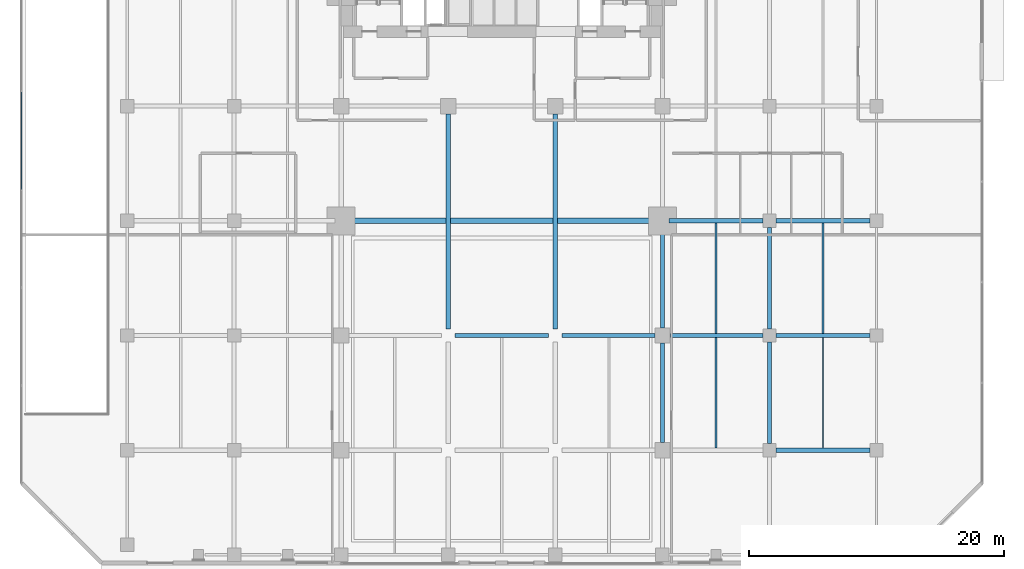
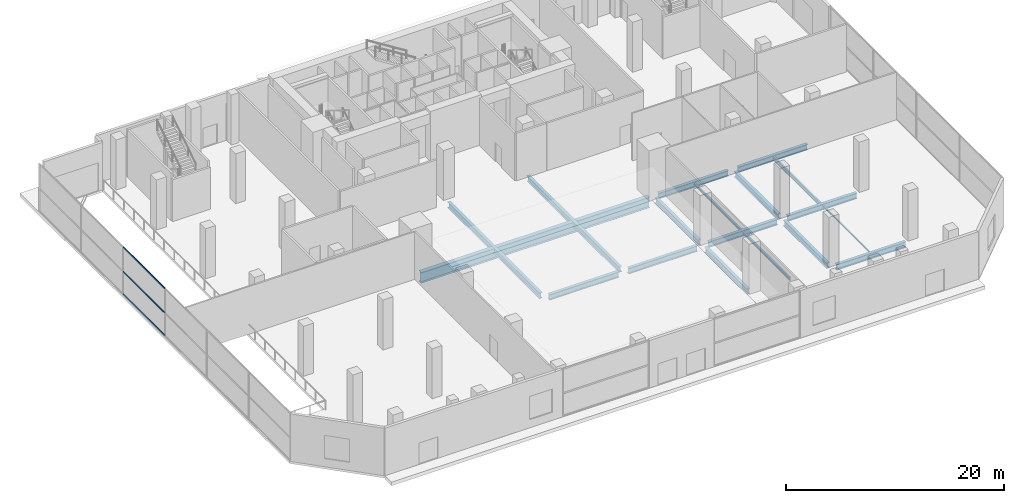
# One storey, part 16 of 35: 18 beams, 3 members, 1 element without a shape of its own.
"""IFC4 building model written with IfcOpenShell, lengths in metres."""

from ifc_helpers import new_model, si_unit, direction, frame, origin, origin_2d, place, context, subcontext, project, spatial, hollow_rectangle, i_section, extrude, material, layer, layer_set, material_profile, profile_set, type_object, element, aggregate, save


model = new_model("IFC4")

# Units and contexts
model_context = context("Model", 3, precision=1e-05, world=origin(), true_north=direction((0.0, 1.0)))
body_context = subcontext(model_context, "Body", "Model", "MODEL_VIEW")
ifc_project = project(units=[si_unit("LENGTHUNIT", "METRE"), si_unit("AREAUNIT", "SQUARE_METRE"), si_unit("VOLUMEUNIT", "CUBIC_METRE"), si_unit("PLANEANGLEUNIT", "RADIAN"), si_unit("MASSUNIT", "GRAM", prefix="KILO")], contexts=[model_context])

# Site, building, storey
site_placement = place(None, origin())
site = spatial("IfcSite", under=ifc_project, at=site_placement, CompositionType="ELEMENT")
building_placement = place(site_placement, origin())
building = spatial("IfcBuilding", under=site, at=building_placement, Name="Maruvema Waterfront Hotel and Observation Tower", CompositionType="ELEMENT")
storey_placement = place(building_placement, origin())
storey = spatial("IfcBuildingStorey", under=building, at=storey_placement, Name="L00", CompositionType="ELEMENT", Elevation=0.0)

# Curtain wall, members
ifc_material_1 = material(Name="Anodised bronze aluminium and solar-control low-E IGU", Category="aluminium")
ifc_layer = layer(ifc_material_1, 0.159912109375, Name="Podium Waterfront Storefront Curtain Wall System CW-01")
ifc_layer_set = layer_set([ifc_layer], Name="Anodised bronze aluminium and solar-control low-E IGU")
curtain_wall_type = type_object("IfcCurtainWallType", Name="Podium Waterfront Storefront Curtain Wall System CW-01", PredefinedType="USERDEFINED", material=ifc_layer_set)
curtain_wall_placement = place(storey_placement, origin())
curtain_wall = element("IfcCurtainWall", 1, at=curtain_wall_placement, inside=storey, type_object=curtain_wall_type, Name="L00 Curtain Wall CW-L00-W", ObjectType="UNITISED CURTAIN WALL", PredefinedType="USERDEFINED")
ifc_material_2 = material(Name="Anodised architectural bronze aluminium", Category="aluminium")
ifc_material_profile_1 = material_profile(ifc_material_2, hollow_rectangle(XDim=0.070068359375, YDim=0.14990234375, WallThickness=0.00390625, at=origin_2d()), Name="ALU-T70x150")
ifc_profile_set_1 = profile_set([ifc_material_profile_1], Name="Anodised architectural bronze aluminium")
member_type = type_object("IfcMemberType", Name="Curtain Wall Horizontal Transom ALU-T70x150", PredefinedType="USERDEFINED", material=ifc_profile_set_1)
member_1_placement = place(storey_placement, frame((0.1201171875, 37.103271484375, 0.030029296875), z_axis=(0.0, -1.0, 0.0), x_axis=(1.0, 0.0, 0.0)))
member_1 = element("IfcMember", 2, at=member_1_placement, type_object=member_type, Name="CW-01 transom 3.1", ObjectType="TRANSOM", PredefinedType="USERDEFINED", context=body_context, shape_type="SweptSolid", body=[
    extrude(hollow_rectangle(XDim=0.070068359375, YDim=0.14990234375, WallThickness=0.00390625, at=origin_2d()), origin(), (0.0, 0.0, 1.0), 7.623291015625),
])
member_2_placement = place(storey_placement, frame((0.1201171875, 37.103271484375, 2.550048828125), z_axis=(0.0, -1.0, 0.0), x_axis=(1.0, 0.0, 0.0)))
member_2 = element("IfcMember", 3, at=member_2_placement, type_object=member_type, Name="CW-01 transom 3.2", ObjectType="TRANSOM", PredefinedType="USERDEFINED", context=body_context, shape_type="SweptSolid", body=[
    extrude(hollow_rectangle(XDim=0.070068359375, YDim=0.14990234375, WallThickness=0.00390625, at=origin_2d()), origin(), (0.0, 0.0, 1.0), 7.623291015625),
])
member_3_placement = place(storey_placement, frame((0.1201171875, 37.103271484375, 5.2900390625), z_axis=(0.0, -1.0, 0.0), x_axis=(1.0, 0.0, 0.0)))
member_3 = element("IfcMember", 4, at=member_3_placement, type_object=member_type, Name="CW-01 transom 3.3", ObjectType="TRANSOM", PredefinedType="USERDEFINED", context=body_context, shape_type="SweptSolid", body=[
    extrude(hollow_rectangle(XDim=0.070068359375, YDim=0.14990234375, WallThickness=0.00390625, at=origin_2d()), origin(), (0.0, 0.0, 1.0), 7.623291015625),
])
aggregate(curtain_wall, [member_1, member_2, member_3])

# Beams
ifc_material_3 = material(Name="Steel ASTM A572 Grade 50", Category="steel")
ifc_material_profile_2 = material_profile(ifc_material_3, i_section(OverallWidth=0.3291015625, OverallDepth=0.635009765625, WebThickness=0.017822265625, FlangeThickness=0.031005859375, FilletRadius=0.01806640625, at=origin_2d()), Name="W610x241.0")
ifc_profile_set_2 = profile_set([ifc_material_profile_2], Name="Steel ASTM A572 Grade 50")
beam_type_1 = type_object("IfcBeamType", Name="Primary Floor Girder W610x241.0", PredefinedType="BEAM", material=ifc_profile_set_2)
for number, where, z_axis, x_axis, name in (
    (5, (59.324951171875, 9.0, -0.597412109375), (1.0, 0.0, 0.0), (0.0, 1.0, 0.0), "L00 Floor Girder EW-16"),
    (6, (34.125, 18.0, -0.597412109375), (1.0, 0.0, 0.0), (0.0, 1.0, 0.0), "L00 Floor Girder EW-20"),
):
    element("IfcBeam", number, at=place(storey_placement, frame(where, z_axis=z_axis, x_axis=x_axis)), inside=storey, type_object=beam_type_1, Name=name, PredefinedType="BEAM", context=body_context, shape_type="SweptSolid", body=[
        extrude(i_section(OverallWidth=0.3291015625, OverallDepth=0.635009765625, WebThickness=0.017822265625, FlangeThickness=0.031005859375, FilletRadius=0.01806640625, at=origin_2d()), origin(), (0.0, 0.0, 1.0), 7.35009765625),
    ])
beam_1_placement = place(storey_placement, frame((42.52490234375, 18.0, -0.597412109375), z_axis=(1.0, 0.0, 0.0), x_axis=(0.0, 1.0, 0.0)))
element("IfcBeam", 7, at=beam_1_placement, inside=storey, type_object=beam_type_1, Name="L00 Floor Girder EW-21", PredefinedType="BEAM", context=body_context, shape_type="SweptSolid", body=[
    extrude(i_section(OverallWidth=0.3291015625, OverallDepth=0.635009765625, WebThickness=0.017822265625, FlangeThickness=0.031005859375, FilletRadius=0.01806640625, at=origin_2d()), origin(), (0.0, 0.0, 1.0), 7.275146484375),
])
beam_2_placement = place(storey_placement, frame((51.0, 18.0, -0.597412109375), z_axis=(1.0, 0.0, 0.0), x_axis=(0.0, 1.0, 0.0)))
element("IfcBeam", 8, at=beam_2_placement, inside=storey, type_object=beam_type_1, Name="L00 Floor Girder EW-22", PredefinedType="BEAM", context=body_context, shape_type="SweptSolid", body=[
    extrude(i_section(OverallWidth=0.3291015625, OverallDepth=0.635009765625, WebThickness=0.017822265625, FlangeThickness=0.031005859375, FilletRadius=0.01806640625, at=origin_2d()), origin(), (0.0, 0.0, 1.0), 7.27490234375),
])
beam_3_placement = place(storey_placement, frame((59.324951171875, 18.0, -0.597412109375), z_axis=(1.0, 0.0, 0.0), x_axis=(0.0, 1.0, 0.0)))
element("IfcBeam", 9, at=beam_3_placement, inside=storey, type_object=beam_type_1, Name="L00 Floor Girder EW-23", PredefinedType="BEAM", context=body_context, shape_type="SweptSolid", body=[
    extrude(i_section(OverallWidth=0.3291015625, OverallDepth=0.635009765625, WebThickness=0.017822265625, FlangeThickness=0.031005859375, FilletRadius=0.01806640625, at=origin_2d()), origin(), (0.0, 0.0, 1.0), 7.35009765625),
])
beam_4_placement = place(storey_placement, frame((50.89990234375, 27.0, -0.597412109375), z_axis=(1.0, 0.0, 0.0), x_axis=(0.0, 1.0, 0.0)))
element("IfcBeam", 10, at=beam_4_placement, inside=storey, type_object=beam_type_1, Name="L00 Floor Girder EW-27", PredefinedType="BEAM", context=body_context, shape_type="SweptSolid", body=[
    extrude(i_section(OverallWidth=0.3291015625, OverallDepth=0.635009765625, WebThickness=0.017822265625, FlangeThickness=0.031005859375, FilletRadius=0.01806640625, at=origin_2d()), origin(), (0.0, 0.0, 1.0), 7.375),
])
beam_5_placement = place(storey_placement, frame((59.324951171875, 27.0, -0.597412109375), z_axis=(1.0, 0.0, 0.0), x_axis=(0.0, 1.0, 0.0)))
element("IfcBeam", 11, at=beam_5_placement, inside=storey, type_object=beam_type_1, Name="L00 Floor Girder EW-28", PredefinedType="BEAM", context=body_context, shape_type="SweptSolid", body=[
    extrude(i_section(OverallWidth=0.3291015625, OverallDepth=0.635009765625, WebThickness=0.017822265625, FlangeThickness=0.031005859375, FilletRadius=0.01806640625, at=origin_2d()), origin(), (0.0, 0.0, 1.0), 7.35009765625),
])
for number, where, z_axis, x_axis, name in (
    (12, (33.60009765625, 18.52490234375, -0.597412109375), (0.0, 1.0, 0.0), (-1.0, 0.0, 0.0), "L00 Floor Girder NS-20"),
    (13, (42.0, 18.52490234375, -0.597412109375), (0.0, 1.0, 0.0), (-1.0, 0.0, 0.0), "L00 Floor Girder NS-23"),
):
    element("IfcBeam", number, at=place(storey_placement, frame(where, z_axis=z_axis, x_axis=x_axis)), inside=storey, type_object=beam_type_1, Name=name, PredefinedType="BEAM", context=body_context, shape_type="SweptSolid", body=[
        extrude(i_section(OverallWidth=0.3291015625, OverallDepth=0.635009765625, WebThickness=0.017822265625, FlangeThickness=0.031005859375, FilletRadius=0.01806640625, at=origin_2d()), origin(), (0.0, 0.0, 1.0), 16.875),
    ])
beam_6_placement = place(storey_placement, frame((50.39990234375, 9.60009765625, -0.597412109375), z_axis=(0.0, 1.0, 0.0), x_axis=(-1.0, 0.0, 0.0)))
element("IfcBeam", 14, at=beam_6_placement, inside=storey, type_object=beam_type_1, Name="L00 Floor Girder NS-25", PredefinedType="BEAM", context=body_context, shape_type="SweptSolid", body=[
    extrude(i_section(OverallWidth=0.3291015625, OverallDepth=0.635009765625, WebThickness=0.017822265625, FlangeThickness=0.031005859375, FilletRadius=0.01806640625, at=origin_2d()), origin(), (0.0, 0.0, 1.0), 7.7998046875),
])
beam_7_placement = place(storey_placement, frame((50.39990234375, 18.60009765625, -0.597412109375), z_axis=(0.0, 1.0, 0.0), x_axis=(-1.0, 0.0, 0.0)))
element("IfcBeam", 15, at=beam_7_placement, inside=storey, type_object=beam_type_1, Name="L00 Floor Girder NS-26", PredefinedType="BEAM", context=body_context, shape_type="SweptSolid", body=[
    extrude(i_section(OverallWidth=0.3291015625, OverallDepth=0.635009765625, WebThickness=0.017822265625, FlangeThickness=0.031005859375, FilletRadius=0.01806640625, at=origin_2d()), origin(), (0.0, 0.0, 1.0), 7.89990234375),
])
for number, where, z_axis, x_axis, name in (
    (16, (58.800048828125, 9.52490234375, -0.597412109375), (0.0, 1.0, 0.0), (-1.0, 0.0, 0.0), "L00 Floor Girder NS-30"),
    (17, (58.800048828125, 18.52490234375, -0.597412109375), (0.0, 1.0, 0.0), (-1.0, 0.0, 0.0), "L00 Floor Girder NS-31"),
):
    element("IfcBeam", number, at=place(storey_placement, frame(where, z_axis=z_axis, x_axis=x_axis)), inside=storey, type_object=beam_type_1, Name=name, PredefinedType="BEAM", context=body_context, shape_type="SweptSolid", body=[
        extrude(i_section(OverallWidth=0.3291015625, OverallDepth=0.635009765625, WebThickness=0.017822265625, FlangeThickness=0.031005859375, FilletRadius=0.01806640625, at=origin_2d()), origin(), (0.0, 0.0, 1.0), 7.9501953125),
    ])
ifc_material_4 = material(Name="Steel ASTM A572 Grade 50", Category="steel")
ifc_material_profile_3 = material_profile(ifc_material_4, i_section(OverallWidth=0.10009765625, OverallDepth=0.153076171875, WebThickness=0.005859375, FlangeThickness=0.007080078125, FilletRadius=0.008056640625, at=origin_2d()), Name="W150x18.0")
ifc_profile_set_3 = profile_set([ifc_material_profile_3], Name="Steel ASTM A572 Grade 50")
beam_type_2 = type_object("IfcBeamType", Name="Secondary Floor Joist W150x18.0", PredefinedType="JOIST", material=ifc_profile_set_3)
beam_8_placement = place(storey_placement, frame((63.0, 9.16455078125, -0.3564453125), z_axis=(0.0, 1.0, 0.0), x_axis=(-1.0, 0.0, 0.0)))
element("IfcBeam", 18, at=beam_8_placement, inside=storey, type_object=beam_type_2, Name="L00 Secondary Floor Joist JS-19", PredefinedType="JOIST", context=body_context, shape_type="SweptSolid", body=[
    extrude(i_section(OverallWidth=0.10009765625, OverallDepth=0.153076171875, WebThickness=0.005859375, FlangeThickness=0.007080078125, FilletRadius=0.008056640625, at=origin_2d()), origin(), (0.0, 0.0, 1.0), 8.6708984375),
])
ifc_material_5 = material(Name="Steel ASTM A572 Grade 50", Category="steel")
ifc_material_profile_4 = material_profile(ifc_material_5, i_section(OverallWidth=0.14794921875, OverallDepth=0.26611328125, WebThickness=0.007568359375, FlangeThickness=0.012939453125, FilletRadius=0.012939453125, at=origin_2d()), Name="W250x44.8")
ifc_profile_set_4 = profile_set([ifc_material_profile_4], Name="Steel ASTM A572 Grade 50")
beam_type_3 = type_object("IfcBeamType", Name="Secondary Floor Joist W250x44.8", PredefinedType="JOIST", material=ifc_profile_set_4)
beam_9_placement = place(storey_placement, frame((54.60009765625, 18.16455078125, -0.4130859375), z_axis=(0.0, 1.0, 0.0), x_axis=(-1.0, 0.0, 0.0)))
element("IfcBeam", 19, at=beam_9_placement, inside=storey, type_object=beam_type_3, Name="L00 Secondary Floor Joist JS-16", PredefinedType="JOIST", context=body_context, shape_type="SweptSolid", body=[
    extrude(i_section(OverallWidth=0.14794921875, OverallDepth=0.26611328125, WebThickness=0.007568359375, FlangeThickness=0.012939453125, FilletRadius=0.012939453125, at=origin_2d()), origin(), (0.0, 0.0, 1.0), 8.6708984375),
])
ifc_material_6 = material(Name="Steel ASTM A572 Grade 50", Category="steel")
ifc_material_profile_5 = material_profile(ifc_material_6, i_section(OverallWidth=0.1650390625, OverallDepth=0.31005859375, WebThickness=0.005859375, FlangeThickness=0.009765625, FilletRadius=0.012939453125, at=origin_2d()), Name="W310x38.7")
ifc_profile_set_5 = profile_set([ifc_material_profile_5], Name="Steel ASTM A572 Grade 50")
beam_type_4 = type_object("IfcBeamType", Name="Secondary Floor Joist W310x38.7", PredefinedType="JOIST", material=ifc_profile_set_5)
beam_10_placement = place(storey_placement, frame((54.60009765625, 9.16455078125, -0.43505859375), z_axis=(0.0, 1.0, 0.0), x_axis=(-1.0, 0.0, 0.0)))
element("IfcBeam", 20, at=beam_10_placement, inside=storey, type_object=beam_type_4, Name="L00 Secondary Floor Joist JS-15", PredefinedType="JOIST", context=body_context, shape_type="SweptSolid", body=[
    extrude(i_section(OverallWidth=0.1650390625, OverallDepth=0.31005859375, WebThickness=0.005859375, FlangeThickness=0.009765625, FilletRadius=0.012939453125, at=origin_2d()), origin(), (0.0, 0.0, 1.0), 8.6708984375),
])
ifc_material_7 = material(Name="Steel ASTM A572 Grade 50", Category="steel")
ifc_material_profile_6 = material_profile(ifc_material_7, i_section(OverallWidth=0.177001953125, OverallDepth=0.403076171875, WebThickness=0.007568359375, FlangeThickness=0.010986328125, FilletRadius=0.014892578125, at=origin_2d()), Name="W410x53.0")
ifc_profile_set_6 = profile_set([ifc_material_profile_6], Name="Steel ASTM A572 Grade 50")
beam_type_5 = type_object("IfcBeamType", Name="Secondary Floor Joist W410x53.0", PredefinedType="JOIST", material=ifc_profile_set_6)
beam_11_placement = place(storey_placement, frame((63.0, 18.16455078125, -0.4814453125), z_axis=(0.0, 1.0, 0.0), x_axis=(-1.0, 0.0, 0.0)))
element("IfcBeam", 21, at=beam_11_placement, inside=storey, type_object=beam_type_5, Name="L00 Secondary Floor Joist JS-20", PredefinedType="JOIST", context=body_context, shape_type="SweptSolid", body=[
    extrude(i_section(OverallWidth=0.177001953125, OverallDepth=0.403076171875, WebThickness=0.007568359375, FlangeThickness=0.010986328125, FilletRadius=0.014892578125, at=origin_2d()), origin(), (0.0, 0.0, 1.0), 8.6708984375),
])
ifc_material_8 = material(Name="Steel ABNT NBR 7007 AR 415 (ASTM A572 Grade 50)", Category="steel")
ifc_material_profile_7 = material_profile(ifc_material_8, i_section(OverallWidth=0.449951171875, OverallDepth=1.199951171875, WebThickness=0.01904296875, FlangeThickness=0.031982421875, at=origin_2d()), Name="VS1200x366")
ifc_profile_set_7 = profile_set([ifc_material_profile_7], Name="Steel ABNT NBR 7007 AR 415 (ASTM A572 Grade 50)")
beam_type_6 = type_object("IfcBeamType", Name="Upper Setback Transfer Girder VS1200x366", PredefinedType="USERDEFINED", material=ifc_profile_set_7)
beam_12_placement = place(storey_placement, frame((25.699951171875, 27.0, -0.8798828125), z_axis=(1.0, 0.0, 0.0), x_axis=(0.0, 1.0, 0.0)))
element("IfcBeam", 22, at=beam_12_placement, inside=storey, type_object=beam_type_6, Name="L00 Floor Girder EW-26", ObjectType="TRANSFER GIRDER", PredefinedType="USERDEFINED", context=body_context, shape_type="SweptSolid", body=[
    extrude(i_section(OverallWidth=0.449951171875, OverallDepth=1.199951171875, WebThickness=0.01904296875, FlangeThickness=0.031982421875, at=origin_2d()), origin(), (0.0, 0.0, 1.0), 24.199951171875),
])

save(model, "model.ifc")
